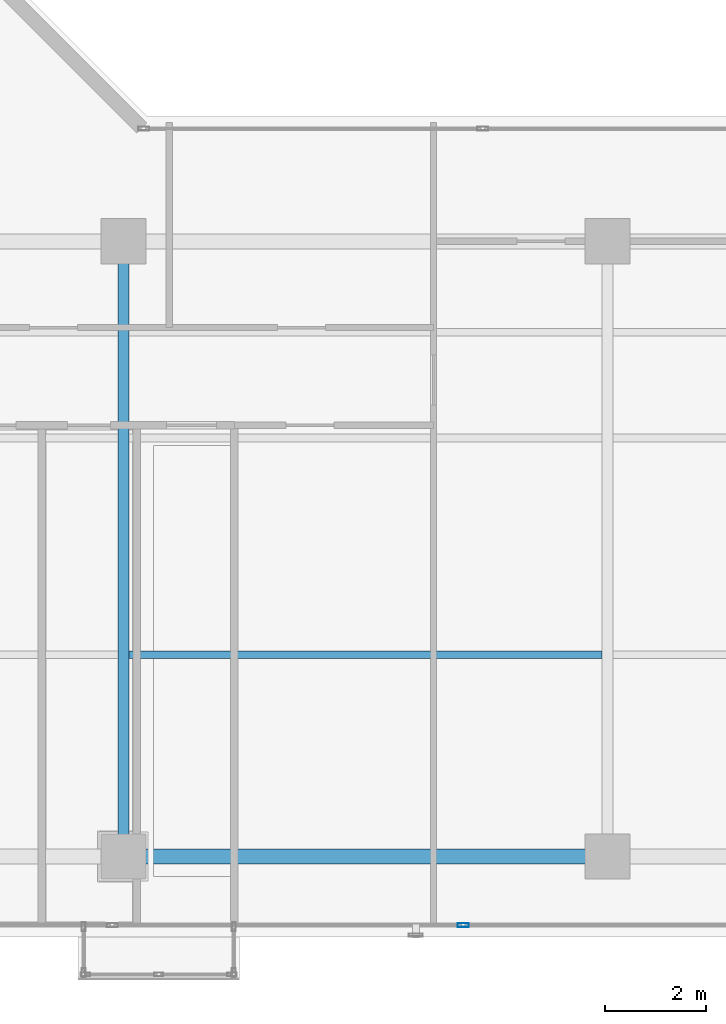
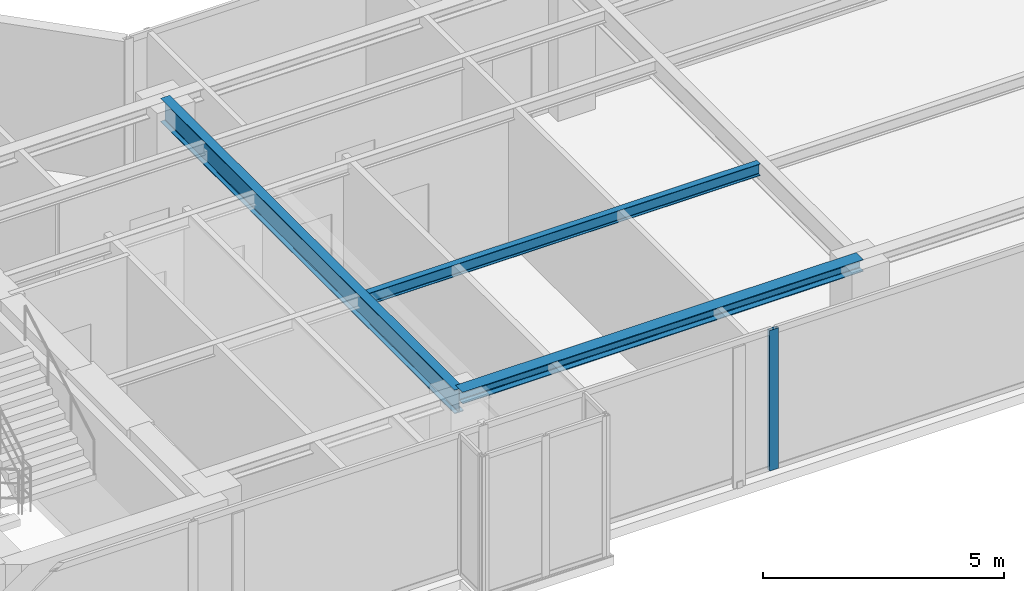
# One storey, part 5 of 22: 3 beams, 1 member, 1 element without a shape of its own.
"""IFC4 building model written with IfcOpenShell, lengths in metres."""

from ifc_helpers import new_model, si_unit, direction, frame, origin, origin_with_axes, origin_2d, place, context, subcontext, project, spatial, hollow_rectangle, i_section, extrude, source, transform, mapped, material, layer, layer_set, material_profile, profile_set, type_object, element, aggregate, save


model = new_model("IFC4")

# Units and contexts
model_context = context("Model", 3, precision=1e-05, world=origin(), true_north=direction((0.0, 1.0)))
body_context = subcontext(model_context, "Body", "Model", "MODEL_VIEW")
ifc_project = project(units=[si_unit("LENGTHUNIT", "METRE"), si_unit("AREAUNIT", "SQUARE_METRE"), si_unit("VOLUMEUNIT", "CUBIC_METRE"), si_unit("PLANEANGLEUNIT", "RADIAN"), si_unit("MASSUNIT", "GRAM", prefix="KILO")], contexts=[model_context])

# Site, building, storey
site_placement = place(None, origin())
site = spatial("IfcSite", under=ifc_project, at=site_placement, CompositionType="ELEMENT")
building_placement = place(site_placement, origin())
building = spatial("IfcBuilding", under=site, at=building_placement, Name="Kolvaren Waterfront Exchange", CompositionType="ELEMENT")
storey_placement = place(building_placement, frame((0.0, 0.0, 308.39990234375)))
storey = spatial("IfcBuildingStorey", under=building, at=storey_placement, Name="L79", CompositionType="ELEMENT", Elevation=308.39990234375)

# Beams
ifc_material_1 = material(Name="Steel S355", Category="steel")
ifc_material_profile_1 = material_profile(ifc_material_1, i_section(OverallWidth=0.300048828125, OverallDepth=0.300048828125, WebThickness=0.010986328125, FlangeThickness=0.01904296875, FilletRadius=0.027099609375, at=origin_2d()), Name="HEB300")
ifc_profile_set_1 = profile_set([ifc_material_profile_1], Name="Steel S355")
beam_type_1 = type_object("IfcBeamType", Name="STR-BM-HEB300", PredefinedType="SPANDREL", material=ifc_profile_set_1)
beam_1_placement = place(storey_placement, frame((27.199951171875, 5.199951171875, 3.41015625), z_axis=(1.0, 0.0, 0.0), x_axis=(0.0, 1.0, 0.0)))
element("IfcBeam", 1, at=beam_1_placement, inside=storey, type_object=beam_type_1, Name="L79 east-arm spandrel S2", PredefinedType="SPANDREL", context=body_context, shape_type="SweptSolid", body=[
    extrude(i_section(OverallWidth=0.300048828125, OverallDepth=0.300048828125, WebThickness=0.010986328125, FlangeThickness=0.01904296875, FilletRadius=0.027099609375, at=origin_2d()), origin(), (0.0, 0.0, 1.0), 9.60009765625),
])
ifc_material_profile_2 = material_profile(ifc_material_1, i_section(OverallWidth=0.14990234375, OverallDepth=0.300048828125, WebThickness=0.007080078125, FlangeThickness=0.0107421875, FilletRadius=0.014892578125, at=origin_2d()), Name="IPE300")
ifc_profile_set_2 = profile_set([ifc_material_profile_2], Name="Steel S355")
beam_type_2 = type_object("IfcBeamType", Name="STR-BM-IPE300", PredefinedType="JOIST", material=ifc_profile_set_2)
beam_2_placement = place(storey_placement, frame((27.31201171875, 9.199951171875, 3.41015625), z_axis=(1.0, 0.0, 0.0), x_axis=(0.0, 1.0, 0.0)))
element("IfcBeam", 2, at=beam_2_placement, inside=storey, type_object=beam_type_2, Name="L79 east-arm composite joist 2B", PredefinedType="JOIST", context=body_context, shape_type="SweptSolid", body=[
    extrude(i_section(OverallWidth=0.14990234375, OverallDepth=0.300048828125, WebThickness=0.007080078125, FlangeThickness=0.0107421875, FilletRadius=0.014892578125, at=origin_2d()), origin(), (0.0, 0.0, 1.0), 9.3759765625),
])
ifc_material_profile_3 = material_profile(ifc_material_1, i_section(OverallWidth=0.219970703125, OverallDepth=0.60009765625, WebThickness=0.011962890625, FlangeThickness=0.01904296875, FilletRadius=0.02392578125, at=origin_2d()), Name="IPE600")
ifc_profile_set_3 = profile_set([ifc_material_profile_3], Name="Steel S355")
beam_type_3 = type_object("IfcBeamType", Name="STR-BM-IPE600", PredefinedType="BEAM", material=ifc_profile_set_3)
beam_3_placement = place(storey_placement, frame((27.199951171875, 5.199951171875, 3.260009765625), z_axis=(0.0, 1.0, 0.0), x_axis=(-1.0, 0.0, 0.0)))
element("IfcBeam", 3, at=beam_3_placement, inside=storey, type_object=beam_type_3, Name="L79 east-arm transverse girder X27", PredefinedType="BEAM", context=body_context, shape_type="SweptSolid", body=[
    extrude(i_section(OverallWidth=0.219970703125, OverallDepth=0.60009765625, WebThickness=0.011962890625, FlangeThickness=0.01904296875, FilletRadius=0.02392578125, at=origin_2d()), origin(), (0.0, 0.0, 1.0), 12.199951171875),
])

# Curtain wall, member
ifc_material_2 = material(Name="Anodised bronze aluminium 6063-T6", Category="aluminium")
ifc_layer = layer(ifc_material_2, 0.219970703125, Name="Anodised bronze aluminium 6063-T6")
ifc_layer_set = layer_set([ifc_layer], Name="Anodised bronze aluminium 6063-T6")
curtain_wall_type = type_object("IfcCurtainWallType", Name="ARC-CW-SYS1", PredefinedType="USERDEFINED", material=ifc_layer_set)
curtain_wall_placement = place(storey_placement, origin())
curtain_wall = element("IfcCurtainWall", 4, at=curtain_wall_placement, inside=storey, type_object=curtain_wall_type, Name="L79 stick curtain wall CW1 (CW-L79-S)", ObjectType="STICK CURTAIN WALL", PredefinedType="USERDEFINED")
ifc_material_3 = material(Name="Anodised aluminium 6063-T6", Category="aluminium")
ifc_material_profile_4 = material_profile(ifc_material_3, hollow_rectangle(XDim=0.080078125, YDim=0.219970703125, WallThickness=0.0048828125, at=origin_2d()), Name="ALU-MUL-220x80x5")
ifc_profile_set_4 = profile_set([ifc_material_profile_4], Name="Anodised aluminium 6063-T6")
member_type = type_object("IfcMemberType", Name="ARC-CWM-220", PredefinedType="MULLION", material=ifc_profile_set_4)
shared_shape = source(origin_with_axes(), body_context, "Body", "SweptSolid", [
    extrude(hollow_rectangle(XDim=0.080078125, YDim=0.219970703125, WallThickness=0.0048828125, at=origin_2d()), origin(), (0.0, 0.0, 1.0), 3.56005859375),
])
member_placement = place(storey_placement, frame((33.938720703125, 3.840087890625, 0.0), z_axis=(0.0, 0.0, 1.0), x_axis=(0.0, 1.0, 0.0)))
member = element("IfcMember", 5, at=member_placement, type_object=member_type, Name="CW1 mullion 5", PredefinedType="MULLION", context=body_context, shape_type="MappedRepresentation", body=[
    mapped(shared_shape, transform((0.0, 0.0, 0.0), x_axis=(1.0, 0.0, 0.0), y_axis=(0.0, 1.0, 0.0), z_axis=(0.0, 0.0, 1.0), scale=1.0)),
])
aggregate(curtain_wall, [member])

save(model, "model.ifc")
